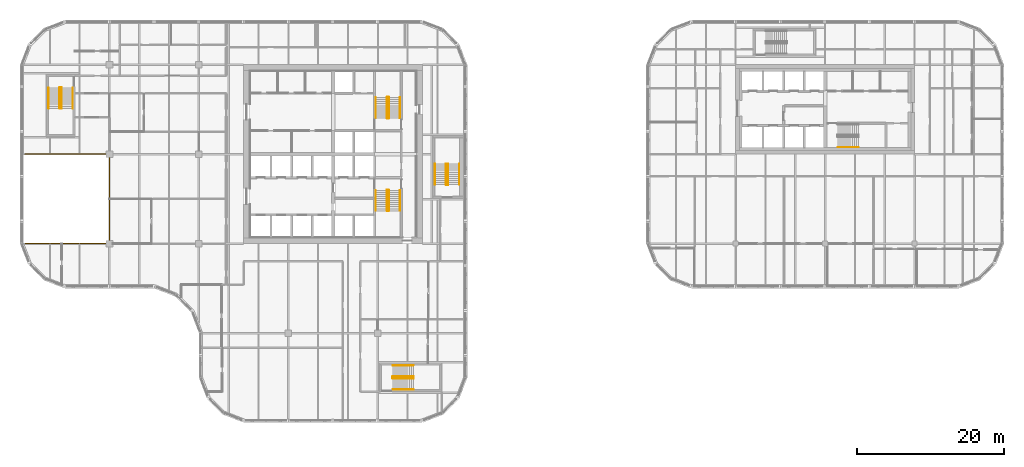
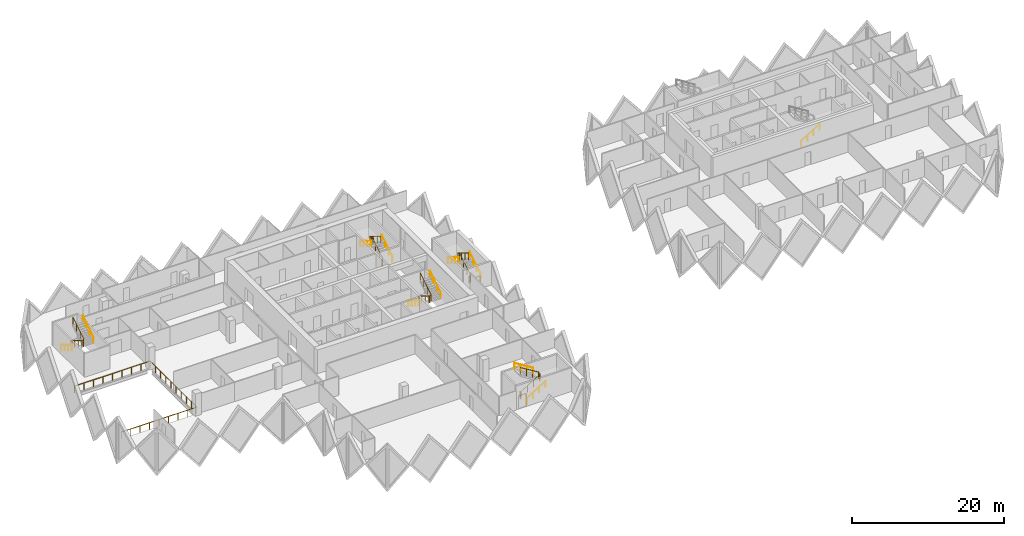
# One storey, part 18 of 19: 17 railings.
"""IFC4 building model written with IfcOpenShell, lengths in metres."""

from ifc_helpers import new_model, si_unit, direction, frame, origin, origin_2d, place, context, subcontext, project, spatial, circle, extrude, material, type_object, element, save


model = new_model("IFC4")

# Units and contexts
model_context = context("Model", 3, precision=1e-05, world=origin(), true_north=direction((0.0, 1.0)))
body_context = subcontext(model_context, "Body", "Model", "MODEL_VIEW")
ifc_project = project(units=[si_unit("LENGTHUNIT", "METRE"), si_unit("AREAUNIT", "SQUARE_METRE"), si_unit("VOLUMEUNIT", "CUBIC_METRE"), si_unit("PLANEANGLEUNIT", "RADIAN"), si_unit("MASSUNIT", "GRAM", prefix="KILO")], contexts=[model_context])

# Site, building, storey
site_placement = place(None, origin())
site = spatial("IfcSite", under=ifc_project, at=site_placement, CompositionType="ELEMENT")
building_placement = place(site_placement, origin())
building = spatial("IfcBuilding", under=site, at=building_placement, Name="Tessera Gate Towers", CompositionType="ELEMENT")
storey_placement = place(building_placement, frame((0.0, 0.0, 87.60009765625)))
storey = spatial("IfcBuildingStorey", under=building, at=storey_placement, Name="L21", CompositionType="ELEMENT", Elevation=87.60009765625)

# Railings
ifc_material_1 = material(Name="Toughened glass with stainless steel handrail", Category="steel")
railing_type_1 = type_object("IfcRailingType", Name="GUARD 1100 GLASS BALUSTRADE", PredefinedType="GUARDRAIL", material=ifc_material_1)
railing_1_placement = place(storey_placement, frame((0.750244140625, 24.39990234375, 0.0)))
element("IfcRailing", 1, at=railing_1_placement, inside=storey, type_object=railing_type_1, Name="Guard", PredefinedType="GUARDRAIL", context=body_context, shape_type="SweptSolid", body=[
    extrude(circle(Radius=0.02490234375, at=origin_2d()), frame((0.0, 0.0, 1.0751953125), z_axis=(1.0, 0.0, 0.0), x_axis=(0.0, 1.0, 0.0)), (0.0, 0.0, 1.0), 11.44970703125),
    extrude(circle(Radius=0.02490234375, at=origin_2d()), frame((11.44970703125, 0.0, 1.0751953125), z_axis=(0.0, 1.0, 0.0), x_axis=(-1.0, 0.0, 0.0)), (0.0, 0.0, 1.0), 12.2001953125),
    extrude(circle(Radius=0.02490234375, at=origin_2d()), frame((11.44970703125, 12.2001953125, 1.0751953125), z_axis=(-1.0, 0.0, 0.0), x_axis=(0.0, -1.0, 0.0)), (0.0, 0.0, 1.0), 11.5),
    extrude(circle(Radius=0.02490234375, at=origin_2d()), origin(), (0.0, 0.0, 1.0), 1.050048828125),
    extrude(circle(Radius=0.02490234375, at=origin_2d()), frame((1.43115234375, 0.0, 0.0)), (0.0, 0.0, 1.0), 1.050048828125),
    extrude(circle(Radius=0.02490234375, at=origin_2d()), frame((2.8623046875, 0.0, 0.0)), (0.0, 0.0, 1.0), 1.050048828125),
    extrude(circle(Radius=0.02490234375, at=origin_2d()), frame((4.293701171875, 0.0, 0.0)), (0.0, 0.0, 1.0), 1.050048828125),
    extrude(circle(Radius=0.02490234375, at=origin_2d()), frame((5.724853515625, 0.0, 0.0)), (0.0, 0.0, 1.0), 1.050048828125),
    extrude(circle(Radius=0.02490234375, at=origin_2d()), frame((7.156005859375, 0.0, 0.0)), (0.0, 0.0, 1.0), 1.050048828125),
    extrude(circle(Radius=0.02490234375, at=origin_2d()), frame((8.58740234375, 0.0, 0.0)), (0.0, 0.0, 1.0), 1.050048828125),
    extrude(circle(Radius=0.02490234375, at=origin_2d()), frame((10.0185546875, 0.0, 0.0)), (0.0, 0.0, 1.0), 1.050048828125),
    extrude(circle(Radius=0.02490234375, at=origin_2d()), frame((11.44970703125, 0.0, 0.0)), (0.0, 0.0, 1.0), 1.050048828125),
    extrude(circle(Radius=0.02490234375, at=origin_2d()), frame((11.44970703125, 1.35546875, 0.0)), (0.0, 0.0, 1.0), 1.050048828125),
    extrude(circle(Radius=0.02490234375, at=origin_2d()), frame((11.44970703125, 2.711181640625, 0.0)), (0.0, 0.0, 1.0), 1.050048828125),
    extrude(circle(Radius=0.02490234375, at=origin_2d()), frame((11.44970703125, 4.066650390625, 0.0)), (0.0, 0.0, 1.0), 1.050048828125),
    extrude(circle(Radius=0.02490234375, at=origin_2d()), frame((11.44970703125, 5.42236328125, 0.0)), (0.0, 0.0, 1.0), 1.050048828125),
    extrude(circle(Radius=0.02490234375, at=origin_2d()), frame((11.44970703125, 6.77783203125, 0.0)), (0.0, 0.0, 1.0), 1.050048828125),
    extrude(circle(Radius=0.02490234375, at=origin_2d()), frame((11.44970703125, 8.133544921875, 0.0)), (0.0, 0.0, 1.0), 1.050048828125),
    extrude(circle(Radius=0.02490234375, at=origin_2d()), frame((11.44970703125, 9.489013671875, 0.0)), (0.0, 0.0, 1.0), 1.050048828125),
    extrude(circle(Radius=0.02490234375, at=origin_2d()), frame((11.44970703125, 10.8447265625, 0.0)), (0.0, 0.0, 1.0), 1.050048828125),
    extrude(circle(Radius=0.02490234375, at=origin_2d()), frame((11.44970703125, 12.2001953125, 0.0)), (0.0, 0.0, 1.0), 1.050048828125),
    extrude(circle(Radius=0.02490234375, at=origin_2d()), frame((10.01220703125, 12.2001953125, 0.0)), (0.0, 0.0, 1.0), 1.050048828125),
    extrude(circle(Radius=0.02490234375, at=origin_2d()), frame((8.57470703125, 12.2001953125, 0.0)), (0.0, 0.0, 1.0), 1.050048828125),
    extrude(circle(Radius=0.02490234375, at=origin_2d()), frame((7.13720703125, 12.2001953125, 0.0)), (0.0, 0.0, 1.0), 1.050048828125),
    extrude(circle(Radius=0.02490234375, at=origin_2d()), frame((5.69970703125, 12.2001953125, 0.0)), (0.0, 0.0, 1.0), 1.050048828125),
    extrude(circle(Radius=0.02490234375, at=origin_2d()), frame((4.26220703125, 12.2001953125, 0.0)), (0.0, 0.0, 1.0), 1.050048828125),
    extrude(circle(Radius=0.02490234375, at=origin_2d()), frame((2.82470703125, 12.2001953125, 0.0)), (0.0, 0.0, 1.0), 1.050048828125),
    extrude(circle(Radius=0.02490234375, at=origin_2d()), frame((1.38720703125, 12.2001953125, 0.0)), (0.0, 0.0, 1.0), 1.050048828125),
    extrude(circle(Radius=0.02490234375, at=origin_2d()), frame((-0.05029296875, 12.2001953125, 0.0)), (0.0, 0.0, 1.0), 1.050048828125),
])
ifc_material_2 = material(Name="Steel 350W", Category="steel")
railing_type_2 = type_object("IfcRailingType", Name="STAIR GUARD 1100", PredefinedType="GUARDRAIL", material=ifc_material_2)
railing_2_placement = place(storey_placement, frame((50.27490234375, 31.72509765625, 0.0)))
element("IfcRailing", 2, at=railing_2_placement, inside=storey, type_object=railing_type_2, Name="L21 ST1 stair guard 1", PredefinedType="GUARDRAIL", context=body_context, shape_type="SweptSolid", body=[
    extrude(circle(Radius=0.02392578125, at=origin_2d()), frame((0.0, 0.0, 1.076171875), z_axis=(-1.0, 0.0, 0.0), x_axis=(0.0, -1.0, 0.0)), (0.0, 0.0, 1.0), 0.199951171875),
    extrude(circle(Radius=0.02392578125, at=origin_2d()), frame((-0.199951171875, 0.0, 1.076171875), z_axis=(-0.268277960024, -0.268277960024, 0.925231793839), x_axis=(0.707106781187, -0.707106781187, 0.0)), (0.0, 0.0, 1.0), 0.1865234375),
    extrude(circle(Radius=0.02392578125, at=origin_2d()), frame((-0.25, -0.050048828125, 1.24853515625), z_axis=(0.0, -0.851089632645, 0.525020415988), x_axis=(1.0, 0.0, 0.0)), (0.0, 0.0, 1.0), 3.2900390625),
    extrude(circle(Radius=0.02392578125, at=origin_2d()), frame((-0.25, -2.85009765625, 2.97607421875), z_axis=(0.707106781187, -0.707106781187, 0.0), x_axis=(0.707106781187, 0.707106781187, 0.0)), (0.0, 0.0, 1.0), 0.07080078125),
    extrude(circle(Radius=0.02392578125, at=origin_2d()), frame((-0.199951171875, -2.900146484375, 2.97607421875), z_axis=(1.0, 0.0, 0.0), x_axis=(0.0, 1.0, 0.0)), (0.0, 0.0, 1.0), 0.199951171875),
    extrude(circle(Radius=0.02392578125, at=origin_2d()), frame((0.0, -2.900146484375, 2.97607421875), z_axis=(0.268277960024, 0.268277960024, 0.925231793839), x_axis=(-0.707106781187, 0.707106781187, 0.0)), (0.0, 0.0, 1.0), 0.1865234375),
    extrude(circle(Radius=0.02392578125, at=origin_2d()), frame((0.050048828125, -2.85009765625, 3.1484375), z_axis=(0.0, 0.851089632645, 0.525020415988), x_axis=(-1.0, 0.0, 0.0)), (0.0, 0.0, 1.0), 3.2900390625),
    extrude(circle(Radius=0.02099609375, at=origin_2d()), origin(), (0.0, 0.0, 1.0), 1.052001953125),
    extrude(circle(Radius=0.02099609375, at=origin_2d()), frame((-0.199951171875, 0.0, 0.0)), (0.0, 0.0, 1.0), 1.052001953125),
    extrude(circle(Radius=0.02099609375, at=origin_2d()), frame((-0.25, -0.050048828125, 0.172607421875)), (0.0, 0.0, 1.0), 1.052001953125),
    extrude(circle(Radius=0.02099609375, at=origin_2d()), frame((-0.25, -0.9833984375, 0.748291015625)), (0.0, 0.0, 1.0), 1.052001953125),
    extrude(circle(Radius=0.02099609375, at=origin_2d()), frame((-0.25, -1.916748046875, 1.32421875)), (0.0, 0.0, 1.0), 1.052001953125),
    extrude(circle(Radius=0.02099609375, at=origin_2d()), frame((-0.25, -2.85009765625, 1.89990234375)), (0.0, 0.0, 1.0), 1.052001953125),
    extrude(circle(Radius=0.02099609375, at=origin_2d()), frame((-0.199951171875, -2.900146484375, 1.89990234375)), (0.0, 0.0, 1.0), 1.052001953125),
    extrude(circle(Radius=0.02099609375, at=origin_2d()), frame((0.0, -2.900146484375, 1.89990234375)), (0.0, 0.0, 1.0), 1.052001953125),
    extrude(circle(Radius=0.02099609375, at=origin_2d()), frame((0.050048828125, -2.85009765625, 2.072509765625)), (0.0, 0.0, 1.0), 1.052001953125),
    extrude(circle(Radius=0.02099609375, at=origin_2d()), frame((0.050048828125, -1.916748046875, 2.648193359375)), (0.0, 0.0, 1.0), 1.052001953125),
    extrude(circle(Radius=0.02099609375, at=origin_2d()), frame((0.050048828125, -0.9833984375, 3.22412109375)), (0.0, 0.0, 1.0), 1.052001953125),
    extrude(circle(Radius=0.02099609375, at=origin_2d()), frame((0.050048828125, -0.050048828125, 3.7998046875)), (0.0, 0.0, 1.0), 1.052001953125),
])
railing_3_placement = place(storey_placement, frame((50.074951171875, 41.47509765625, 0.0)))
element("IfcRailing", 3, at=railing_3_placement, inside=storey, type_object=railing_type_2, Name="L21 ST2 stair guard 1", PredefinedType="GUARDRAIL", context=body_context, shape_type="SweptSolid", body=[
    extrude(circle(Radius=0.02392578125, at=origin_2d()), frame((0.0, 0.0, 1.076171875), z_axis=(1.0, 0.0, 0.0), x_axis=(0.0, 1.0, 0.0)), (0.0, 0.0, 1.0), 0.199951171875),
    extrude(circle(Radius=0.02392578125, at=origin_2d()), frame((0.199951171875, 0.0, 1.076171875), z_axis=(0.268371968888, 0.267062837333, 0.925556009775), x_axis=(-0.705375805398, 0.708833529934, 0.0)), (0.0, 0.0, 1.0), 0.1865234375),
    extrude(circle(Radius=0.02392578125, at=origin_2d()), frame((0.25, 0.0498046875, 1.24853515625), z_axis=(0.0, 0.851089632645, 0.525020415988), x_axis=(-1.0, 0.0, 0.0)), (0.0, 0.0, 1.0), 3.2900390625),
    extrude(circle(Radius=0.02392578125, at=origin_2d()), frame((0.25, 2.849853515625, 2.97607421875), z_axis=(-0.707106781187, 0.707106781187, 0.0), x_axis=(-0.707106781187, -0.707106781187, 0.0)), (0.0, 0.0, 1.0), 0.07080078125),
    extrude(circle(Radius=0.02392578125, at=origin_2d()), frame((0.199951171875, 2.89990234375, 2.97607421875), z_axis=(-1.0, 0.0, 0.0), x_axis=(0.0, -1.0, 0.0)), (0.0, 0.0, 1.0), 0.199951171875),
    extrude(circle(Radius=0.02392578125, at=origin_2d()), frame((0.0, 2.89990234375, 2.97607421875), z_axis=(-0.268277960024, -0.268277960024, 0.925231793839), x_axis=(0.707106781187, -0.707106781187, 0.0)), (0.0, 0.0, 1.0), 0.1865234375),
    extrude(circle(Radius=0.02392578125, at=origin_2d()), frame((-0.050048828125, 2.849853515625, 3.1484375), z_axis=(0.0, -0.851089632645, 0.525020415988), x_axis=(1.0, 0.0, 0.0)), (0.0, 0.0, 1.0), 3.2900390625),
    extrude(circle(Radius=0.02099609375, at=origin_2d()), origin(), (0.0, 0.0, 1.0), 1.052001953125),
    extrude(circle(Radius=0.02099609375, at=origin_2d()), frame((0.199951171875, 0.0, 0.0)), (0.0, 0.0, 1.0), 1.052001953125),
    extrude(circle(Radius=0.02099609375, at=origin_2d()), frame((0.25, 0.0498046875, 0.172607421875)), (0.0, 0.0, 1.0), 1.052001953125),
    extrude(circle(Radius=0.02099609375, at=origin_2d()), frame((0.25, 0.983154296875, 0.748291015625)), (0.0, 0.0, 1.0), 1.052001953125),
    extrude(circle(Radius=0.02099609375, at=origin_2d()), frame((0.25, 1.91650390625, 1.32421875)), (0.0, 0.0, 1.0), 1.052001953125),
    extrude(circle(Radius=0.02099609375, at=origin_2d()), frame((0.25, 2.849853515625, 1.89990234375)), (0.0, 0.0, 1.0), 1.052001953125),
    extrude(circle(Radius=0.02099609375, at=origin_2d()), frame((0.199951171875, 2.89990234375, 1.89990234375)), (0.0, 0.0, 1.0), 1.052001953125),
    extrude(circle(Radius=0.02099609375, at=origin_2d()), frame((0.0, 2.89990234375, 1.89990234375)), (0.0, 0.0, 1.0), 1.052001953125),
    extrude(circle(Radius=0.02099609375, at=origin_2d()), frame((-0.050048828125, 2.849853515625, 2.072509765625)), (0.0, 0.0, 1.0), 1.052001953125),
    extrude(circle(Radius=0.02099609375, at=origin_2d()), frame((-0.050048828125, 1.91650390625, 2.648193359375)), (0.0, 0.0, 1.0), 1.052001953125),
    extrude(circle(Radius=0.02099609375, at=origin_2d()), frame((-0.050048828125, 0.983154296875, 3.22412109375)), (0.0, 0.0, 1.0), 1.052001953125),
    extrude(circle(Radius=0.02099609375, at=origin_2d()), frame((-0.050048828125, 0.0498046875, 3.7998046875)), (0.0, 0.0, 1.0), 1.052001953125),
])
railing_4_placement = place(storey_placement, frame((5.64990234375, 45.699951171875, 0.0)))
element("IfcRailing", 4, at=railing_4_placement, inside=storey, type_object=railing_type_2, Name="L21 ST3 stair guard 1", PredefinedType="GUARDRAIL", context=body_context, shape_type="SweptSolid", body=[
    extrude(circle(Radius=0.02392578125, at=origin_2d()), frame((0.0, 0.0, 1.076171875), z_axis=(-1.0, 0.0, 0.0), x_axis=(0.0, -1.0, 0.0)), (0.0, 0.0, 1.0), 0.199951171875),
    extrude(circle(Radius=0.02392578125, at=origin_2d()), frame((-0.199951171875, 0.0, 1.076171875), z_axis=(-0.268277960024, -0.268277960024, 0.925231793839), x_axis=(0.707106781187, -0.707106781187, 0.0)), (0.0, 0.0, 1.0), 0.1865234375),
    extrude(circle(Radius=0.02392578125, at=origin_2d()), frame((-0.25, -0.050048828125, 1.24853515625), z_axis=(0.0, -0.851069175582, 0.525053576669), x_axis=(1.0, 0.0, 0.0)), (0.0, 0.0, 1.0), 3.289794921875),
    extrude(circle(Radius=0.02392578125, at=origin_2d()), frame((-0.25, -2.849853515625, 2.97607421875), z_axis=(0.707106781187, -0.707106781187, 0.0), x_axis=(0.707106781187, 0.707106781187, 0.0)), (0.0, 0.0, 1.0), 0.07080078125),
    extrude(circle(Radius=0.02392578125, at=origin_2d()), frame((-0.199951171875, -2.89990234375, 2.97607421875), z_axis=(1.0, 0.0, 0.0), x_axis=(0.0, 1.0, 0.0)), (0.0, 0.0, 1.0), 0.199951171875),
    extrude(circle(Radius=0.02392578125, at=origin_2d()), frame((0.0, -2.89990234375, 2.97607421875), z_axis=(0.268277960024, 0.268277960024, 0.925231793839), x_axis=(-0.707106781187, 0.707106781187, 0.0)), (0.0, 0.0, 1.0), 0.1865234375),
    extrude(circle(Radius=0.02392578125, at=origin_2d()), frame((0.050048828125, -2.849853515625, 3.1484375), z_axis=(0.0, 0.851069175582, 0.525053576669), x_axis=(-1.0, 0.0, 0.0)), (0.0, 0.0, 1.0), 3.289794921875),
    extrude(circle(Radius=0.02099609375, at=origin_2d()), origin(), (0.0, 0.0, 1.0), 1.052001953125),
    extrude(circle(Radius=0.02099609375, at=origin_2d()), frame((-0.199951171875, 0.0, 0.0)), (0.0, 0.0, 1.0), 1.052001953125),
    extrude(circle(Radius=0.02099609375, at=origin_2d()), frame((-0.25, -0.050048828125, 0.172607421875)), (0.0, 0.0, 1.0), 1.052001953125),
    extrude(circle(Radius=0.02099609375, at=origin_2d()), frame((-0.25, -0.9833984375, 0.748291015625)), (0.0, 0.0, 1.0), 1.052001953125),
    extrude(circle(Radius=0.02099609375, at=origin_2d()), frame((-0.25, -1.91650390625, 1.32421875)), (0.0, 0.0, 1.0), 1.052001953125),
    extrude(circle(Radius=0.02099609375, at=origin_2d()), frame((-0.25, -2.849853515625, 1.89990234375)), (0.0, 0.0, 1.0), 1.052001953125),
    extrude(circle(Radius=0.02099609375, at=origin_2d()), frame((-0.199951171875, -2.89990234375, 1.89990234375)), (0.0, 0.0, 1.0), 1.052001953125),
    extrude(circle(Radius=0.02099609375, at=origin_2d()), frame((0.0, -2.89990234375, 1.89990234375)), (0.0, 0.0, 1.0), 1.052001953125),
    extrude(circle(Radius=0.02099609375, at=origin_2d()), frame((0.050048828125, -2.849853515625, 2.072509765625)), (0.0, 0.0, 1.0), 1.052001953125),
    extrude(circle(Radius=0.02099609375, at=origin_2d()), frame((0.050048828125, -1.91650390625, 2.648193359375)), (0.0, 0.0, 1.0), 1.052001953125),
    extrude(circle(Radius=0.02099609375, at=origin_2d()), frame((0.050048828125, -0.9833984375, 3.22412109375)), (0.0, 0.0, 1.0), 1.052001953125),
    extrude(circle(Radius=0.02099609375, at=origin_2d()), frame((0.050048828125, -0.050048828125, 3.7998046875)), (0.0, 0.0, 1.0), 1.052001953125),
])
railing_5_placement = place(storey_placement, frame((50.800048828125, 6.25, 0.0)))
element("IfcRailing", 5, at=railing_5_placement, inside=storey, type_object=railing_type_2, Name="L21 ST4 stair guard 1", PredefinedType="GUARDRAIL", context=body_context, shape_type="SweptSolid", body=[
    extrude(circle(Radius=0.02392578125, at=origin_2d()), frame((0.0, 0.0, 1.076171875), z_axis=(0.0, -1.0, 0.0), x_axis=(1.0, 0.0, 0.0)), (0.0, 0.0, 1.0), 0.199951171875),
    extrude(circle(Radius=0.02392578125, at=origin_2d()), frame((0.0, -0.199951171875, 1.076171875), z_axis=(0.268277960024, -0.268277960024, 0.925231793839), x_axis=(0.707106781187, 0.707106781187, 0.0)), (0.0, 0.0, 1.0), 0.1865234375),
    extrude(circle(Radius=0.02392578125, at=origin_2d()), frame((0.050048828125, -0.25, 1.24853515625), z_axis=(0.851069175582, 0.0, 0.525053576669), x_axis=(0.0, 1.0, 0.0)), (0.0, 0.0, 1.0), 3.289794921875),
    extrude(circle(Radius=0.02392578125, at=origin_2d()), frame((2.849853515625, -0.25, 2.97607421875), z_axis=(0.707106781187, 0.707106781187, 0.0), x_axis=(-0.707106781187, 0.707106781187, 0.0)), (0.0, 0.0, 1.0), 0.07080078125),
    extrude(circle(Radius=0.02392578125, at=origin_2d()), frame((2.89990234375, -0.199951171875, 2.97607421875), z_axis=(0.0, 1.0, 0.0), x_axis=(-1.0, 0.0, 0.0)), (0.0, 0.0, 1.0), 0.199951171875),
    extrude(circle(Radius=0.02392578125, at=origin_2d()), frame((2.89990234375, 0.0, 2.97607421875), z_axis=(-0.268277960024, 0.268277960024, 0.925231793839), x_axis=(-0.707106781187, -0.707106781187, 0.0)), (0.0, 0.0, 1.0), 0.1865234375),
    extrude(circle(Radius=0.02392578125, at=origin_2d()), frame((2.849853515625, 0.050048828125, 3.1484375), z_axis=(-0.851069175582, 0.0, 0.525053576669), x_axis=(0.0, -1.0, 0.0)), (0.0, 0.0, 1.0), 3.289794921875),
    extrude(circle(Radius=0.02099609375, at=origin_2d()), origin(), (0.0, 0.0, 1.0), 1.052001953125),
    extrude(circle(Radius=0.02099609375, at=origin_2d()), frame((0.0, -0.199951171875, 0.0)), (0.0, 0.0, 1.0), 1.052001953125),
    extrude(circle(Radius=0.02099609375, at=origin_2d()), frame((0.050048828125, -0.25, 0.172607421875)), (0.0, 0.0, 1.0), 1.052001953125),
    extrude(circle(Radius=0.02099609375, at=origin_2d()), frame((0.9833984375, -0.25, 0.748291015625)), (0.0, 0.0, 1.0), 1.052001953125),
    extrude(circle(Radius=0.02099609375, at=origin_2d()), frame((1.91650390625, -0.25, 1.32421875)), (0.0, 0.0, 1.0), 1.052001953125),
    extrude(circle(Radius=0.02099609375, at=origin_2d()), frame((2.849853515625, -0.25, 1.89990234375)), (0.0, 0.0, 1.0), 1.052001953125),
    extrude(circle(Radius=0.02099609375, at=origin_2d()), frame((2.89990234375, -0.199951171875, 1.89990234375)), (0.0, 0.0, 1.0), 1.052001953125),
    extrude(circle(Radius=0.02099609375, at=origin_2d()), frame((2.89990234375, 0.0, 1.89990234375)), (0.0, 0.0, 1.0), 1.052001953125),
    extrude(circle(Radius=0.02099609375, at=origin_2d()), frame((2.849853515625, 0.050048828125, 2.072509765625)), (0.0, 0.0, 1.0), 1.052001953125),
    extrude(circle(Radius=0.02099609375, at=origin_2d()), frame((1.91650390625, 0.050048828125, 2.648193359375)), (0.0, 0.0, 1.0), 1.052001953125),
    extrude(circle(Radius=0.02099609375, at=origin_2d()), frame((0.9833984375, 0.050048828125, 3.22412109375)), (0.0, 0.0, 1.0), 1.052001953125),
    extrude(circle(Radius=0.02099609375, at=origin_2d()), frame((0.050048828125, 0.050048828125, 3.7998046875)), (0.0, 0.0, 1.0), 1.052001953125),
])
railing_6_placement = place(storey_placement, frame((58.14990234375, 32.39990234375, 0.0)))
element("IfcRailing", 6, at=railing_6_placement, inside=storey, type_object=railing_type_2, Name="L21 ST5 stair guard 1", PredefinedType="GUARDRAIL", context=body_context, shape_type="SweptSolid", body=[
    extrude(circle(Radius=0.02392578125, at=origin_2d()), frame((0.0, 0.0, 1.076171875), z_axis=(1.0, 0.0, 0.0), x_axis=(0.0, 1.0, 0.0)), (0.0, 0.0, 1.0), 0.2001953125),
    extrude(circle(Radius=0.02392578125, at=origin_2d()), frame((0.2001953125, 0.0, 1.076171875), z_axis=(0.267062837333, 0.268371968888, 0.925556009775), x_axis=(-0.708833529934, 0.705375805398, 0.0)), (0.0, 0.0, 1.0), 0.1865234375),
    extrude(circle(Radius=0.02392578125, at=origin_2d()), frame((0.25, 0.050048828125, 1.24853515625), z_axis=(0.0, 0.851089632645, 0.525020415988), x_axis=(-1.0, 0.0, 0.0)), (0.0, 0.0, 1.0), 3.2900390625),
    extrude(circle(Radius=0.02392578125, at=origin_2d()), frame((0.25, 2.85009765625, 2.97607421875), z_axis=(-0.705375805398, 0.708833529934, 0.0), x_axis=(-0.708833529934, -0.705375805398, 0.0)), (0.0, 0.0, 1.0), 0.070556640625),
    extrude(circle(Radius=0.02392578125, at=origin_2d()), frame((0.2001953125, 2.900146484375, 2.97607421875), z_axis=(-1.0, 0.0, 0.0), x_axis=(0.0, -1.0, 0.0)), (0.0, 0.0, 1.0), 0.2001953125),
    extrude(circle(Radius=0.02392578125, at=origin_2d()), frame((0.0, 2.900146484375, 2.97607421875), z_axis=(-0.267062837333, -0.268371968888, 0.925556009775), x_axis=(0.708833529934, -0.705375805398, 0.0)), (0.0, 0.0, 1.0), 0.1865234375),
    extrude(circle(Radius=0.02392578125, at=origin_2d()), frame((-0.0498046875, 2.85009765625, 3.1484375), z_axis=(0.0, -0.851089632645, 0.525020415988), x_axis=(1.0, 0.0, 0.0)), (0.0, 0.0, 1.0), 3.2900390625),
    extrude(circle(Radius=0.02099609375, at=origin_2d()), origin(), (0.0, 0.0, 1.0), 1.052001953125),
    extrude(circle(Radius=0.02099609375, at=origin_2d()), frame((0.2001953125, 0.0, 0.0)), (0.0, 0.0, 1.0), 1.052001953125),
    extrude(circle(Radius=0.02099609375, at=origin_2d()), frame((0.25, 0.050048828125, 0.172607421875)), (0.0, 0.0, 1.0), 1.052001953125),
    extrude(circle(Radius=0.02099609375, at=origin_2d()), frame((0.25, 0.9833984375, 0.748291015625)), (0.0, 0.0, 1.0), 1.052001953125),
    extrude(circle(Radius=0.02099609375, at=origin_2d()), frame((0.25, 1.916748046875, 1.32421875)), (0.0, 0.0, 1.0), 1.052001953125),
    extrude(circle(Radius=0.02099609375, at=origin_2d()), frame((0.25, 2.85009765625, 1.89990234375)), (0.0, 0.0, 1.0), 1.052001953125),
    extrude(circle(Radius=0.02099609375, at=origin_2d()), frame((0.2001953125, 2.900146484375, 1.89990234375)), (0.0, 0.0, 1.0), 1.052001953125),
    extrude(circle(Radius=0.02099609375, at=origin_2d()), frame((0.0, 2.900146484375, 1.89990234375)), (0.0, 0.0, 1.0), 1.052001953125),
    extrude(circle(Radius=0.02099609375, at=origin_2d()), frame((-0.0498046875, 2.85009765625, 2.072509765625)), (0.0, 0.0, 1.0), 1.052001953125),
    extrude(circle(Radius=0.02099609375, at=origin_2d()), frame((-0.0498046875, 1.916748046875, 2.648193359375)), (0.0, 0.0, 1.0), 1.052001953125),
    extrude(circle(Radius=0.02099609375, at=origin_2d()), frame((-0.0498046875, 0.9833984375, 3.22412109375)), (0.0, 0.0, 1.0), 1.052001953125),
    extrude(circle(Radius=0.02099609375, at=origin_2d()), frame((-0.0498046875, 0.050048828125, 3.7998046875)), (0.0, 0.0, 1.0), 1.052001953125),
])
ifc_material_3 = material(Name="Steel 350W", Category="steel")
railing_type_3 = type_object("IfcRailingType", Name="STAIR HANDRAIL 900", PredefinedType="HANDRAIL", material=ifc_material_3)
railing_7_placement = place(storey_placement, frame((48.52490234375, 31.675048828125, 0.172607421875)))
element("IfcRailing", 7, at=railing_7_placement, inside=storey, type_object=railing_type_3, Name="L21 ST1 stair handrail 1", PredefinedType="HANDRAIL", context=body_context, shape_type="SweptSolid", body=[
    extrude(circle(Radius=0.02392578125, at=origin_2d()), frame((0.0, 0.0, 0.8759765625), z_axis=(0.0, -0.851089632645, 0.525020415988), x_axis=(1.0, 0.0, 0.0)), (0.0, 0.0, 1.0), 3.2900390625),
    extrude(circle(Radius=0.02099609375, at=origin_2d()), origin(), (0.0, 0.0, 1.0), 0.851806640625),
    extrude(circle(Radius=0.02099609375, at=origin_2d()), frame((0.0, -0.933349609375, 0.57568359375)), (0.0, 0.0, 1.0), 0.851806640625),
    extrude(circle(Radius=0.02099609375, at=origin_2d()), frame((0.0, -1.86669921875, 1.151611328125)), (0.0, 0.0, 1.0), 0.851806640625),
    extrude(circle(Radius=0.02099609375, at=origin_2d()), frame((0.0, -2.800048828125, 1.727294921875)), (0.0, 0.0, 1.0), 0.851806640625),
])
for number, where, name in (
    (8, (51.824951171875, 28.875, 2.072509765625), "L21 ST1 stair handrail 2"),
    (9, (51.824951171875, 41.52490234375, 0.172607421875), "L21 ST2 stair handrail 1"),
):
    element("IfcRailing", number, at=place(storey_placement, frame(where)), inside=storey, type_object=railing_type_3, Name=name, PredefinedType="HANDRAIL", context=body_context, shape_type="SweptSolid", body=[
        extrude(circle(Radius=0.02392578125, at=origin_2d()), frame((0.0, 0.0, 0.8759765625), z_axis=(0.0, 0.851089632645, 0.525020415988), x_axis=(-1.0, 0.0, 0.0)), (0.0, 0.0, 1.0), 3.2900390625),
        extrude(circle(Radius=0.02099609375, at=origin_2d()), origin(), (0.0, 0.0, 1.0), 0.851806640625),
        extrude(circle(Radius=0.02099609375, at=origin_2d()), frame((0.0, 0.933349609375, 0.57568359375)), (0.0, 0.0, 1.0), 0.851806640625),
        extrude(circle(Radius=0.02099609375, at=origin_2d()), frame((0.0, 1.86669921875, 1.151611328125)), (0.0, 0.0, 1.0), 0.851806640625),
        extrude(circle(Radius=0.02099609375, at=origin_2d()), frame((0.0, 2.800048828125, 1.727294921875)), (0.0, 0.0, 1.0), 0.851806640625),
    ])
railing_8_placement = place(storey_placement, frame((48.52490234375, 44.324951171875, 2.072509765625)))
element("IfcRailing", 10, at=railing_8_placement, inside=storey, type_object=railing_type_3, Name="L21 ST2 stair handrail 2", PredefinedType="HANDRAIL", context=body_context, shape_type="SweptSolid", body=[
    extrude(circle(Radius=0.02392578125, at=origin_2d()), frame((0.0, 0.0, 0.8759765625), z_axis=(0.0, -0.851089632645, 0.525020415988), x_axis=(1.0, 0.0, 0.0)), (0.0, 0.0, 1.0), 3.2900390625),
    extrude(circle(Radius=0.02099609375, at=origin_2d()), origin(), (0.0, 0.0, 1.0), 0.851806640625),
    extrude(circle(Radius=0.02099609375, at=origin_2d()), frame((0.0, -0.933349609375, 0.57568359375)), (0.0, 0.0, 1.0), 0.851806640625),
    extrude(circle(Radius=0.02099609375, at=origin_2d()), frame((0.0, -1.86669921875, 1.151611328125)), (0.0, 0.0, 1.0), 0.851806640625),
    extrude(circle(Radius=0.02099609375, at=origin_2d()), frame((0.0, -2.800048828125, 1.727294921875)), (0.0, 0.0, 1.0), 0.851806640625),
])
railing_9_placement = place(storey_placement, frame((3.89990234375, 45.64990234375, 0.172607421875)))
element("IfcRailing", 11, at=railing_9_placement, inside=storey, type_object=railing_type_3, Name="L21 ST3 stair handrail 1", PredefinedType="HANDRAIL", context=body_context, shape_type="SweptSolid", body=[
    extrude(circle(Radius=0.02392578125, at=origin_2d()), frame((0.0, 0.0, 0.8759765625), z_axis=(0.0, -0.851069175582, 0.525053576669), x_axis=(1.0, 0.0, 0.0)), (0.0, 0.0, 1.0), 3.289794921875),
    extrude(circle(Radius=0.02099609375, at=origin_2d()), origin(), (0.0, 0.0, 1.0), 0.851806640625),
    extrude(circle(Radius=0.02099609375, at=origin_2d()), frame((0.0, -0.933349609375, 0.57568359375)), (0.0, 0.0, 1.0), 0.851806640625),
    extrude(circle(Radius=0.02099609375, at=origin_2d()), frame((0.0, -1.866455078125, 1.151611328125)), (0.0, 0.0, 1.0), 0.851806640625),
    extrude(circle(Radius=0.02099609375, at=origin_2d()), frame((0.0, -2.7998046875, 1.727294921875)), (0.0, 0.0, 1.0), 0.851806640625),
])
railing_10_placement = place(storey_placement, frame((7.199951171875, 42.85009765625, 2.072509765625)))
element("IfcRailing", 12, at=railing_10_placement, inside=storey, type_object=railing_type_3, Name="L21 ST3 stair handrail 2", PredefinedType="HANDRAIL", context=body_context, shape_type="SweptSolid", body=[
    extrude(circle(Radius=0.02392578125, at=origin_2d()), frame((0.0, 0.0, 0.8759765625), z_axis=(0.0, 0.851069175582, 0.525053576669), x_axis=(-1.0, 0.0, 0.0)), (0.0, 0.0, 1.0), 3.289794921875),
    extrude(circle(Radius=0.02099609375, at=origin_2d()), origin(), (0.0, 0.0, 1.0), 0.851806640625),
    extrude(circle(Radius=0.02099609375, at=origin_2d()), frame((0.0, 0.933349609375, 0.57568359375)), (0.0, 0.0, 1.0), 0.851806640625),
    extrude(circle(Radius=0.02099609375, at=origin_2d()), frame((0.0, 1.866455078125, 1.151611328125)), (0.0, 0.0, 1.0), 0.851806640625),
    extrude(circle(Radius=0.02099609375, at=origin_2d()), frame((0.0, 2.7998046875, 1.727294921875)), (0.0, 0.0, 1.0), 0.851806640625),
])
railing_11_placement = place(storey_placement, frame((50.85009765625, 4.5, 0.172607421875)))
element("IfcRailing", 13, at=railing_11_placement, inside=storey, type_object=railing_type_3, Name="L21 ST4 stair handrail 1", PredefinedType="HANDRAIL", context=body_context, shape_type="SweptSolid", body=[
    extrude(circle(Radius=0.02392578125, at=origin_2d()), frame((0.0, 0.0, 0.8759765625), z_axis=(0.851069175582, 0.0, 0.525053576669), x_axis=(0.0, 1.0, 0.0)), (0.0, 0.0, 1.0), 3.289794921875),
    extrude(circle(Radius=0.02099609375, at=origin_2d()), origin(), (0.0, 0.0, 1.0), 0.851806640625),
    extrude(circle(Radius=0.02099609375, at=origin_2d()), frame((0.933349609375, 0.0, 0.57568359375)), (0.0, 0.0, 1.0), 0.851806640625),
    extrude(circle(Radius=0.02099609375, at=origin_2d()), frame((1.866455078125, 0.0, 1.151611328125)), (0.0, 0.0, 1.0), 0.851806640625),
    extrude(circle(Radius=0.02099609375, at=origin_2d()), frame((2.7998046875, 0.0, 1.727294921875)), (0.0, 0.0, 1.0), 0.851806640625),
])
railing_12_placement = place(storey_placement, frame((53.64990234375, 7.800048828125, 2.072509765625)))
element("IfcRailing", 14, at=railing_12_placement, inside=storey, type_object=railing_type_3, Name="L21 ST4 stair handrail 2", PredefinedType="HANDRAIL", context=body_context, shape_type="SweptSolid", body=[
    extrude(circle(Radius=0.02392578125, at=origin_2d()), frame((0.0, 0.0, 0.8759765625), z_axis=(-0.851069175582, 0.0, 0.525053576669), x_axis=(0.0, -1.0, 0.0)), (0.0, 0.0, 1.0), 3.289794921875),
    extrude(circle(Radius=0.02099609375, at=origin_2d()), origin(), (0.0, 0.0, 1.0), 0.851806640625),
    extrude(circle(Radius=0.02099609375, at=origin_2d()), frame((-0.933349609375, 0.0, 0.57568359375)), (0.0, 0.0, 1.0), 0.851806640625),
    extrude(circle(Radius=0.02099609375, at=origin_2d()), frame((-1.866455078125, 0.0, 1.151611328125)), (0.0, 0.0, 1.0), 0.851806640625),
    extrude(circle(Radius=0.02099609375, at=origin_2d()), frame((-2.7998046875, 0.0, 1.727294921875)), (0.0, 0.0, 1.0), 0.851806640625),
])
railing_13_placement = place(storey_placement, frame((59.89990234375, 32.449951171875, 0.172607421875)))
element("IfcRailing", 15, at=railing_13_placement, inside=storey, type_object=railing_type_3, Name="L21 ST5 stair handrail 1", PredefinedType="HANDRAIL", context=body_context, shape_type="SweptSolid", body=[
    extrude(circle(Radius=0.02392578125, at=origin_2d()), frame((0.0, 0.0, 0.8759765625), z_axis=(0.0, 0.851089632645, 0.525020415988), x_axis=(-1.0, 0.0, 0.0)), (0.0, 0.0, 1.0), 3.2900390625),
    extrude(circle(Radius=0.02099609375, at=origin_2d()), origin(), (0.0, 0.0, 1.0), 0.851806640625),
    extrude(circle(Radius=0.02099609375, at=origin_2d()), frame((0.0, 0.933349609375, 0.57568359375)), (0.0, 0.0, 1.0), 0.851806640625),
    extrude(circle(Radius=0.02099609375, at=origin_2d()), frame((0.0, 1.86669921875, 1.151611328125)), (0.0, 0.0, 1.0), 0.851806640625),
    extrude(circle(Radius=0.02099609375, at=origin_2d()), frame((0.0, 2.800048828125, 1.727294921875)), (0.0, 0.0, 1.0), 0.851806640625),
])
railing_14_placement = place(storey_placement, frame((56.60009765625, 35.25, 2.072509765625)))
element("IfcRailing", 16, at=railing_14_placement, inside=storey, type_object=railing_type_3, Name="L21 ST5 stair handrail 2", PredefinedType="HANDRAIL", context=body_context, shape_type="SweptSolid", body=[
    extrude(circle(Radius=0.02392578125, at=origin_2d()), frame((0.0, 0.0, 0.8759765625), z_axis=(0.0, -0.851089632645, 0.525020415988), x_axis=(1.0, 0.0, 0.0)), (0.0, 0.0, 1.0), 3.2900390625),
    extrude(circle(Radius=0.02099609375, at=origin_2d()), origin(), (0.0, 0.0, 1.0), 0.851806640625),
    extrude(circle(Radius=0.02099609375, at=origin_2d()), frame((0.0, -0.933349609375, 0.57568359375)), (0.0, 0.0, 1.0), 0.851806640625),
    extrude(circle(Radius=0.02099609375, at=origin_2d()), frame((0.0, -1.86669921875, 1.151611328125)), (0.0, 0.0, 1.0), 0.851806640625),
    extrude(circle(Radius=0.02099609375, at=origin_2d()), frame((0.0, -2.800048828125, 1.727294921875)), (0.0, 0.0, 1.0), 0.851806640625),
])
railing_15_placement = place(storey_placement, frame((111.550048828125, 37.550048828125, 0.172607421875)))
element("IfcRailing", 17, at=railing_15_placement, inside=storey, type_object=railing_type_3, Name="L21 ST6 stair handrail 1", PredefinedType="HANDRAIL", context=body_context, shape_type="SweptSolid", body=[
    extrude(circle(Radius=0.02392578125, at=origin_2d()), frame((0.0, 0.0, 0.8759765625), z_axis=(0.851089632645, 0.0, 0.525020415988), x_axis=(0.0, 1.0, 0.0)), (0.0, 0.0, 1.0), 3.2900390625),
    extrude(circle(Radius=0.02099609375, at=origin_2d()), origin(), (0.0, 0.0, 1.0), 0.851806640625),
    extrude(circle(Radius=0.02099609375, at=origin_2d()), frame((0.933349609375, 0.0, 0.57568359375)), (0.0, 0.0, 1.0), 0.851806640625),
    extrude(circle(Radius=0.02099609375, at=origin_2d()), frame((1.86669921875, 0.0, 1.151611328125)), (0.0, 0.0, 1.0), 0.851806640625),
    extrude(circle(Radius=0.02099609375, at=origin_2d()), frame((2.800048828125, 0.0, 1.727294921875)), (0.0, 0.0, 1.0), 0.851806640625),
])

save(model, "model.ifc")
